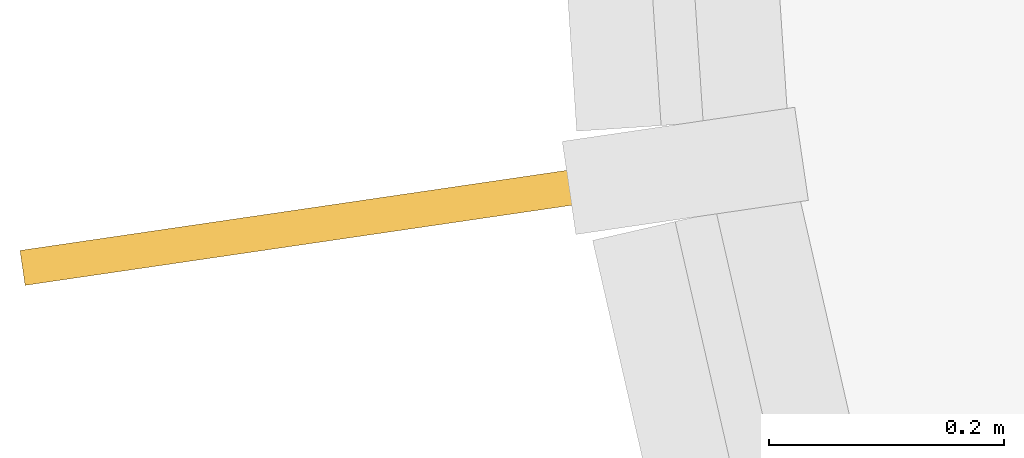
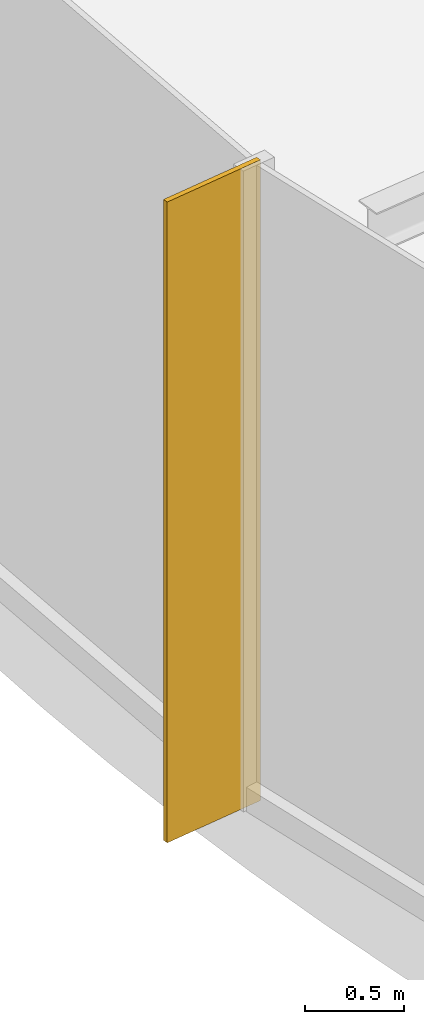
# One storey, part 17 of 19: 1 shading device.
"""IFC4 building model written with IfcOpenShell, lengths in metres."""

from ifc_helpers import new_model, si_unit, direction, frame, origin, origin_2d, place, context, subcontext, project, spatial, rectangle, extrude, source, transform, mapped, material, material_profile, profile_set, type_object, element, save


model = new_model("IFC4")

# Units and contexts
model_context = context("Model", 3, precision=1e-05, world=origin(), true_north=direction((0.0, 1.0)))
body_context = subcontext(model_context, "Body", "Model", "MODEL_VIEW")
ifc_project = project(units=[si_unit("LENGTHUNIT", "METRE"), si_unit("AREAUNIT", "SQUARE_METRE"), si_unit("VOLUMEUNIT", "CUBIC_METRE"), si_unit("PLANEANGLEUNIT", "RADIAN"), si_unit("MASSUNIT", "GRAM", prefix="KILO")], contexts=[model_context])

# Site, building, storey
site_placement = place(None, origin())
site = spatial("IfcSite", under=ifc_project, at=site_placement, CompositionType="ELEMENT")
building_placement = place(site_placement, origin())
building = spatial("IfcBuilding", under=site, at=building_placement, Name="Spindrift Exchange Tower", CompositionType="ELEMENT")
storey_placement = place(building_placement, frame((0.0, 0.0, 31.39990234375)))
storey = spatial("IfcBuildingStorey", under=building, at=storey_placement, Name="L07", CompositionType="ELEMENT", Elevation=31.39990234375)

# Shading device
ifc_material = material(Name="Bronze anodised aluminium", Category="aluminium")
ifc_material_profile = material_profile(ifc_material, rectangle(XDim=0.030029296875, YDim=0.60009765625, at=origin_2d()), Name="WIND FIN 30X600")
ifc_profile_set = profile_set([ifc_material_profile], Name="Bronze anodised aluminium")
shading_device_type = type_object("IfcShadingDeviceType", Name="WIND FIN 30X600", PredefinedType="USERDEFINED", material=ifc_profile_set)
shared_shape = source(origin(), body_context, "Body", "SweptSolid", [
    extrude(rectangle(XDim=0.030029296875, YDim=0.60009765625, at=origin_2d()), origin(), (0.0, 0.0, 1.0), 3.9501953125),
])
shading_device_placement = place(storey_placement, frame((13.658447265625, 43.62646484375, 0.0), z_axis=(0.0, 0.0, 1.0), x_axis=(0.144960640937, -0.989437422265, 0.0)))
element("IfcShadingDevice", 1, at=shading_device_placement, inside=storey, type_object=shading_device_type, Name="L07 wind fin 1", ObjectType="FIN", PredefinedType="USERDEFINED", context=body_context, shape_type="MappedRepresentation", body=[
    mapped(shared_shape, transform((0.0, 0.0, 0.0), scale=1.0)),
])

save(model, "model.ifc")
